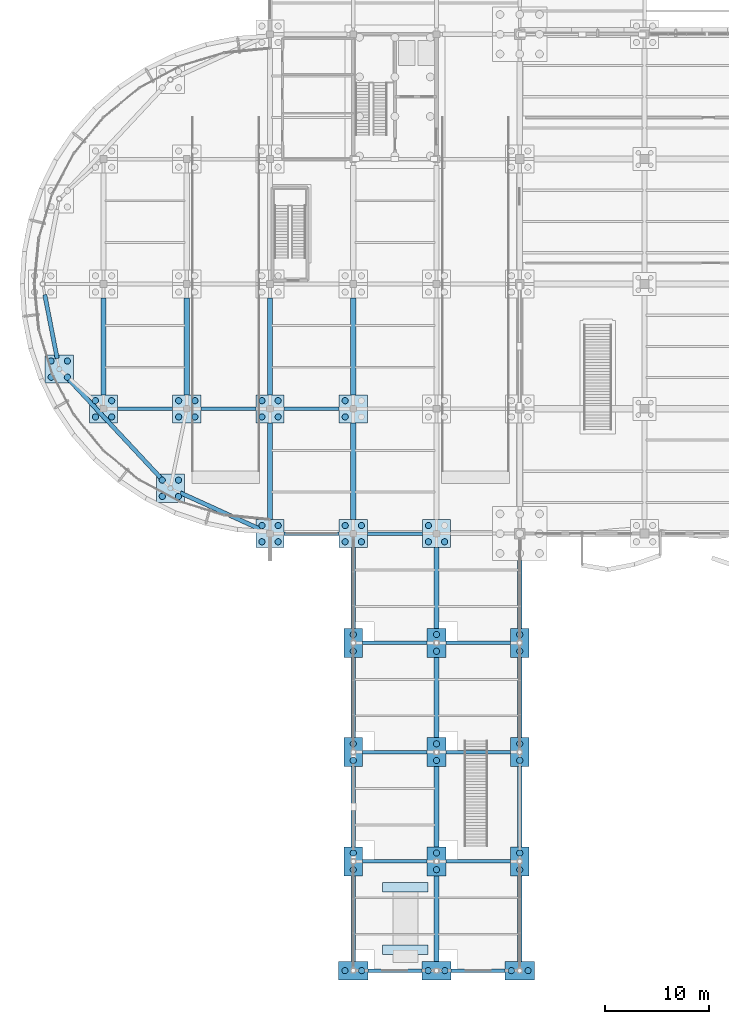
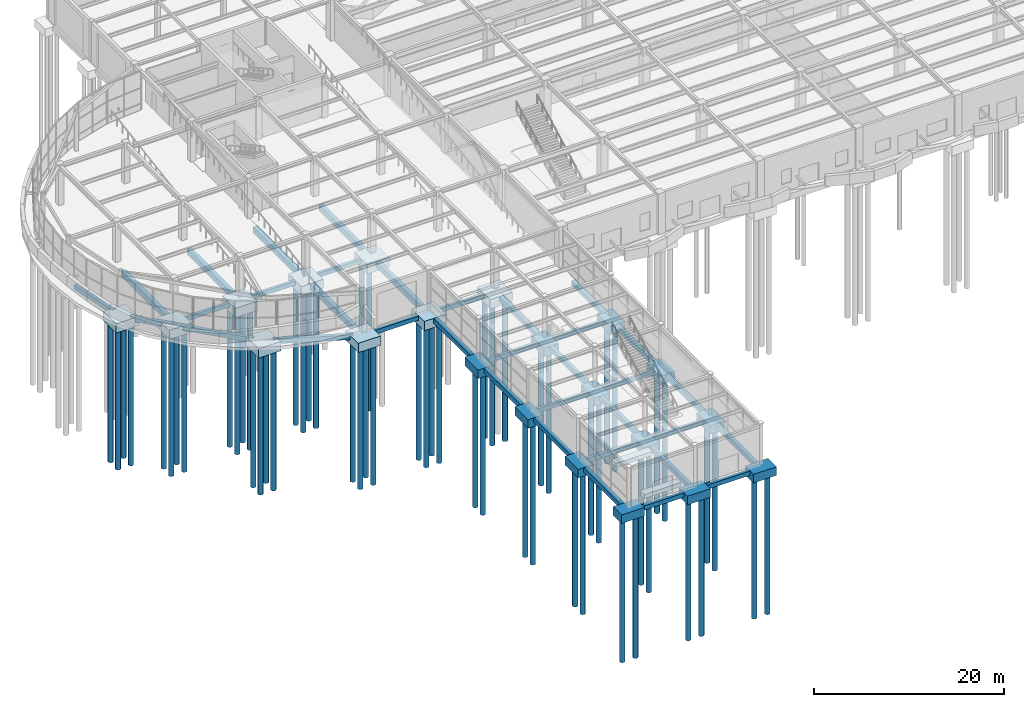
# One storey, part 1 of 85: 57 footings, 57 piles.
"""IFC4 building model written with IfcOpenShell, lengths in metres."""

from ifc_helpers import new_model, si_unit, direction, frame, origin, origin_2d, place, context, subcontext, project, spatial, polyline, rectangle, circle, outline, extrude, material, material_profile, profile_set, type_object, element, save


model = new_model("IFC4")

# Units and contexts
model_context = context("Model", 3, precision=1e-05, world=origin(), true_north=direction((0.0, 1.0)))
body_context = subcontext(model_context, "Body", "Model", "MODEL_VIEW")
ifc_project = project(units=[si_unit("LENGTHUNIT", "METRE"), si_unit("AREAUNIT", "SQUARE_METRE"), si_unit("VOLUMEUNIT", "CUBIC_METRE"), si_unit("PLANEANGLEUNIT", "RADIAN"), si_unit("MASSUNIT", "GRAM", prefix="KILO")], contexts=[model_context])

# Site, building, storey
site_placement = place(None, origin())
site = spatial("IfcSite", under=ifc_project, at=site_placement, CompositionType="ELEMENT")
building_placement = place(site_placement, origin())
building = spatial("IfcBuilding", under=site, at=building_placement, Name="Keelwater Ferry Terminal", CompositionType="ELEMENT")
storey_placement = place(building_placement, origin())
storey = spatial("IfcBuildingStorey", under=building, at=storey_placement, Name="L00", CompositionType="ELEMENT", Elevation=0.0)

# Piles
ifc_material_1 = material(Name="Concrete C45/55", Category="concrete")
ifc_material_profile_1 = material_profile(ifc_material_1, circle(Radius=0.300048828125, at=origin_2d()), Name="PILE D600")
ifc_profile_set_1 = profile_set([ifc_material_profile_1], Name="Concrete C45/55")
pile_type = type_object("IfcPileType", Name="P3 PILE D600", PredefinedType="DRIVEN", material=ifc_profile_set_1)
for number, where, z_axis, x_axis, name in (
    (1, (7.219970703125, 53.219970703125, -1.5), (0.0, 0.0, -1.0), (1.0, 0.0, 0.0), "Driven Pile 0046"),
    (2, (8.780029296875, 53.219970703125, -1.5), (0.0, 0.0, -1.0), (1.0, 0.0, 0.0), "Driven Pile 0047"),
    (3, (7.219970703125, 54.780029296875, -1.5), (0.0, 0.0, -1.0), (1.0, 0.0, 0.0), "Driven Pile 0048"),
    (4, (8.780029296875, 54.780029296875, -1.5), (0.0, 0.0, -1.0), (1.0, 0.0, 0.0), "Driven Pile 0049"),
    (5, (15.219970703125, 53.219970703125, -1.5), (0.0, 0.0, -1.0), (1.0, 0.0, 0.0), "Driven Pile 0058"),
    (6, (16.780029296875, 53.219970703125, -1.5), (0.0, 0.0, -1.0), (1.0, 0.0, 0.0), "Driven Pile 0059"),
    (7, (15.219970703125, 54.780029296875, -1.5), (0.0, 0.0, -1.0), (1.0, 0.0, 0.0), "Driven Pile 0060"),
    (8, (16.780029296875, 54.780029296875, -1.5), (0.0, 0.0, -1.0), (1.0, 0.0, 0.0), "Driven Pile 0061"),
    (9, (23.219970703125, 41.219970703125, -1.5), (0.0, 0.0, -1.0), (1.0, 0.0, 0.0), "Driven Pile 0070"),
    (10, (24.780029296875, 41.219970703125, -1.5), (0.0, 0.0, -1.0), (1.0, 0.0, 0.0), "Driven Pile 0071"),
    (11, (23.219970703125, 42.780029296875, -1.5), (0.0, 0.0, -1.0), (1.0, 0.0, 0.0), "Driven Pile 0072"),
    (12, (24.780029296875, 42.780029296875, -1.5), (0.0, 0.0, -1.0), (1.0, 0.0, 0.0), "Driven Pile 0073"),
    (13, (23.219970703125, 53.219970703125, -1.5), (0.0, 0.0, -1.0), (1.0, 0.0, 0.0), "Driven Pile 0074"),
    (14, (24.780029296875, 53.219970703125, -1.5), (0.0, 0.0, -1.0), (1.0, 0.0, 0.0), "Driven Pile 0075"),
    (15, (23.219970703125, 54.780029296875, -1.5), (0.0, 0.0, -1.0), (1.0, 0.0, 0.0), "Driven Pile 0076"),
    (16, (24.780029296875, 54.780029296875, -1.5), (0.0, 0.0, -1.0), (1.0, 0.0, 0.0), "Driven Pile 0077"),
):
    element("IfcPile", number, at=place(storey_placement, frame(where, z_axis=z_axis, x_axis=x_axis)), inside=storey, type_object=pile_type, Name=name, PredefinedType="DRIVEN", context=body_context, shape_type="SweptSolid", body=[
        extrude(circle(Radius=0.300048828125, at=origin_2d()), origin(), (0.0, 0.0, 1.0), 18.0),
    ])
for number, where, z_axis, x_axis, name in (
    (17, (31.199951171875, 0.0, -1.0), (0.0, 0.0, -1.0), (1.0, 0.0, 0.0), "Driven Pile 0098"),
    (18, (32.800048828125, 0.0, -1.0), (0.0, 0.0, -1.0), (1.0, 0.0, 0.0), "Driven Pile 0099"),
):
    element("IfcPile", number, at=place(storey_placement, frame(where, z_axis=z_axis, x_axis=x_axis)), inside=storey, type_object=pile_type, Name=name, PredefinedType="DRIVEN", context=body_context, shape_type="SweptSolid", body=[
        extrude(circle(Radius=0.300048828125, at=origin_2d()), origin(), (0.0, 0.0, 1.0), 18.5),
    ])
for number, where, z_axis, x_axis, name in (
    (19, (32.0, 9.699951171875, -1.39990234375), (0.0, 0.0, -1.0), (1.0, 0.0, 0.0), "Driven Pile 0100"),
    (20, (32.0, 11.300048828125, -1.39990234375), (0.0, 0.0, -1.0), (1.0, 0.0, 0.0), "Driven Pile 0101"),
    (21, (32.0, 20.199951171875, -1.39990234375), (0.0, 0.0, -1.0), (1.0, 0.0, 0.0), "Driven Pile 0102"),
    (22, (32.0, 21.800048828125, -1.39990234375), (0.0, 0.0, -1.0), (1.0, 0.0, 0.0), "Driven Pile 0103"),
    (23, (32.0, 30.699951171875, -1.39990234375), (0.0, 0.0, -1.0), (1.0, 0.0, 0.0), "Driven Pile 0104"),
    (24, (32.0, 32.300048828125, -1.39990234375), (0.0, 0.0, -1.0), (1.0, 0.0, 0.0), "Driven Pile 0105"),
):
    element("IfcPile", number, at=place(storey_placement, frame(where, z_axis=z_axis, x_axis=x_axis)), inside=storey, type_object=pile_type, Name=name, PredefinedType="DRIVEN", context=body_context, shape_type="SweptSolid", body=[
        extrude(circle(Radius=0.300048828125, at=origin_2d()), origin(), (0.0, 0.0, 1.0), 18.10009765625),
    ])
for number, where, z_axis, x_axis, name in (
    (25, (31.219970703125, 41.219970703125, -1.5), (0.0, 0.0, -1.0), (1.0, 0.0, 0.0), "Driven Pile 0106"),
    (26, (32.780029296875, 41.219970703125, -1.5), (0.0, 0.0, -1.0), (1.0, 0.0, 0.0), "Driven Pile 0107"),
    (27, (31.219970703125, 42.780029296875, -1.5), (0.0, 0.0, -1.0), (1.0, 0.0, 0.0), "Driven Pile 0108"),
    (28, (32.780029296875, 42.780029296875, -1.5), (0.0, 0.0, -1.0), (1.0, 0.0, 0.0), "Driven Pile 0109"),
    (29, (31.219970703125, 53.219970703125, -1.5), (0.0, 0.0, -1.0), (1.0, 0.0, 0.0), "Driven Pile 0110"),
    (30, (31.219970703125, 54.780029296875, -1.5), (0.0, 0.0, -1.0), (1.0, 0.0, 0.0), "Driven Pile 0112"),
):
    element("IfcPile", number, at=place(storey_placement, frame(where, z_axis=z_axis, x_axis=x_axis)), inside=storey, type_object=pile_type, Name=name, PredefinedType="DRIVEN", context=body_context, shape_type="SweptSolid", body=[
        extrude(circle(Radius=0.300048828125, at=origin_2d()), origin(), (0.0, 0.0, 1.0), 18.0),
    ])
for number, where, z_axis, x_axis, name in (
    (31, (39.199951171875, 0.0, -1.39990234375), (0.0, 0.0, -1.0), (1.0, 0.0, 0.0), "Driven Pile 0122"),
    (32, (40.800048828125, 0.0, -1.39990234375), (0.0, 0.0, -1.0), (1.0, 0.0, 0.0), "Driven Pile 0123"),
    (33, (40.0, 9.699951171875, -1.39990234375), (0.0, 0.0, -1.0), (1.0, 0.0, 0.0), "Driven Pile 0124"),
    (34, (40.0, 11.300048828125, -1.39990234375), (0.0, 0.0, -1.0), (1.0, 0.0, 0.0), "Driven Pile 0125"),
    (35, (40.0, 20.199951171875, -1.39990234375), (0.0, 0.0, -1.0), (1.0, 0.0, 0.0), "Driven Pile 0126"),
    (36, (40.0, 21.800048828125, -1.39990234375), (0.0, 0.0, -1.0), (1.0, 0.0, 0.0), "Driven Pile 0127"),
    (37, (40.0, 30.699951171875, -1.39990234375), (0.0, 0.0, -1.0), (1.0, 0.0, 0.0), "Driven Pile 0128"),
    (38, (40.0, 32.300048828125, -1.39990234375), (0.0, 0.0, -1.0), (1.0, 0.0, 0.0), "Driven Pile 0129"),
):
    element("IfcPile", number, at=place(storey_placement, frame(where, z_axis=z_axis, x_axis=x_axis)), inside=storey, type_object=pile_type, Name=name, PredefinedType="DRIVEN", context=body_context, shape_type="SweptSolid", body=[
        extrude(circle(Radius=0.300048828125, at=origin_2d()), origin(), (0.0, 0.0, 1.0), 18.10009765625),
    ])
for number, where, z_axis, x_axis, name in (
    (39, (39.219970703125, 41.219970703125, -1.5), (0.0, 0.0, -1.0), (1.0, 0.0, 0.0), "Driven Pile 0130"),
    (40, (40.780029296875, 41.219970703125, -1.5), (0.0, 0.0, -1.0), (1.0, 0.0, 0.0), "Driven Pile 0131"),
    (41, (39.219970703125, 42.780029296875, -1.5), (0.0, 0.0, -1.0), (1.0, 0.0, 0.0), "Driven Pile 0132"),
):
    element("IfcPile", number, at=place(storey_placement, frame(where, z_axis=z_axis, x_axis=x_axis)), inside=storey, type_object=pile_type, Name=name, PredefinedType="DRIVEN", context=body_context, shape_type="SweptSolid", body=[
        extrude(circle(Radius=0.300048828125, at=origin_2d()), origin(), (0.0, 0.0, 1.0), 18.0),
    ])
for number, where, z_axis, x_axis, name in (
    (42, (47.199951171875, 0.0, -1.39990234375), (0.0, 0.0, -1.0), (1.0, 0.0, 0.0), "Driven Pile 0146"),
    (43, (48.800048828125, 0.0, -1.39990234375), (0.0, 0.0, -1.0), (1.0, 0.0, 0.0), "Driven Pile 0147"),
    (44, (48.0, 9.699951171875, -1.39990234375), (0.0, 0.0, -1.0), (1.0, 0.0, 0.0), "Driven Pile 0148"),
    (45, (48.0, 11.300048828125, -1.39990234375), (0.0, 0.0, -1.0), (1.0, 0.0, 0.0), "Driven Pile 0149"),
    (46, (48.0, 20.199951171875, -1.39990234375), (0.0, 0.0, -1.0), (1.0, 0.0, 0.0), "Driven Pile 0150"),
    (47, (48.0, 21.800048828125, -1.39990234375), (0.0, 0.0, -1.0), (1.0, 0.0, 0.0), "Driven Pile 0151"),
    (48, (48.0, 30.699951171875, -1.39990234375), (0.0, 0.0, -1.0), (1.0, 0.0, 0.0), "Driven Pile 0152"),
    (49, (48.0, 32.300048828125, -1.39990234375), (0.0, 0.0, -1.0), (1.0, 0.0, 0.0), "Driven Pile 0153"),
):
    element("IfcPile", number, at=place(storey_placement, frame(where, z_axis=z_axis, x_axis=x_axis)), inside=storey, type_object=pile_type, Name=name, PredefinedType="DRIVEN", context=body_context, shape_type="SweptSolid", body=[
        extrude(circle(Radius=0.300048828125, at=origin_2d()), origin(), (0.0, 0.0, 1.0), 18.10009765625),
    ])
for number, where, z_axis, x_axis, name in (
    (50, (2.9609375, 57.034912109375, -1.5), (0.0, 0.0, -1.0), (1.0, 0.0, 0.0), "Driven Pile 0627"),
    (51, (4.52099609375, 57.034912109375, -1.5), (0.0, 0.0, -1.0), (1.0, 0.0, 0.0), "Driven Pile 0628"),
    (52, (2.9609375, 58.594970703125, -1.5), (0.0, 0.0, -1.0), (1.0, 0.0, 0.0), "Driven Pile 0629"),
    (53, (4.52099609375, 58.594970703125, -1.5), (0.0, 0.0, -1.0), (1.0, 0.0, 0.0), "Driven Pile 0630"),
    (54, (13.64208984375, 45.5810546875, -1.5), (0.0, 0.0, -1.0), (1.0, 0.0, 0.0), "Driven Pile 0631"),
    (55, (15.201904296875, 45.5810546875, -1.5), (0.0, 0.0, -1.0), (1.0, 0.0, 0.0), "Driven Pile 0632"),
    (56, (13.64208984375, 47.14111328125, -1.5), (0.0, 0.0, -1.0), (1.0, 0.0, 0.0), "Driven Pile 0633"),
    (57, (15.201904296875, 47.14111328125, -1.5), (0.0, 0.0, -1.0), (1.0, 0.0, 0.0), "Driven Pile 0634"),
):
    element("IfcPile", number, at=place(storey_placement, frame(where, z_axis=z_axis, x_axis=x_axis)), inside=storey, type_object=pile_type, Name=name, PredefinedType="DRIVEN", context=body_context, shape_type="SweptSolid", body=[
        extrude(circle(Radius=0.300048828125, at=origin_2d()), origin(), (0.0, 0.0, 1.0), 18.0),
    ])

# Footings
ifc_material_2 = material(Name="Concrete C40/50", Category="concrete")
footing_type_1 = type_object("IfcFootingType", Name="PC02 2800x1800x1100", PredefinedType="PILE_CAP", material=ifc_material_2)
footing_1_placement = place(storey_placement, frame((0.0, 0.0, -1.10009765625)))
element("IfcFooting", 58, at=footing_1_placement, inside=storey, type_object=footing_type_1, Name="Pile Cap FT-CAP-0014", PredefinedType="PILE_CAP", context=body_context, shape_type="SweptSolid", body=[
    extrude(outline(polyline([(30.60009765625, -0.89990234375), (33.39990234375, -0.89990234375), (33.39990234375, 0.89990234375), (30.60009765625, 0.89990234375), (30.60009765625, -0.89990234375)])), origin(), (0.0, 0.0, 1.0), 1.10009765625),
])
footing_2_placement = place(storey_placement, frame((0.0, 0.0, -1.5)))
element("IfcFooting", 59, at=footing_2_placement, inside=storey, type_object=footing_type_1, Name="Pile Cap FT-CAP-0023", PredefinedType="PILE_CAP", context=body_context, shape_type="SweptSolid", body=[
    extrude(outline(polyline([(38.60009765625, -0.89990234375), (41.39990234375, -0.89990234375), (41.39990234375, 0.89990234375), (38.60009765625, 0.89990234375), (38.60009765625, -0.89990234375)])), origin(), (0.0, 0.0, 1.0), 1.10009765625),
])
footing_3_placement = place(storey_placement, frame((0.0, 0.0, -1.5)))
element("IfcFooting", 60, at=footing_3_placement, inside=storey, type_object=footing_type_1, Name="Pile Cap FT-CAP-0032", PredefinedType="PILE_CAP", context=body_context, shape_type="SweptSolid", body=[
    extrude(outline(polyline([(46.60009765625, -0.89990234375), (49.39990234375, -0.89990234375), (49.39990234375, 0.89990234375), (46.60009765625, 0.89990234375), (46.60009765625, -0.89990234375)])), origin(), (0.0, 0.0, 1.0), 1.10009765625),
])
ifc_material_3 = material(Name="Concrete C40/50", Category="concrete")
footing_type_2 = type_object("IfcFootingType", Name="PC03 1800x2800x1100", PredefinedType="PILE_CAP", material=ifc_material_3)
footing_4_placement = place(storey_placement, frame((0.0, 0.0, -1.5)))
element("IfcFooting", 61, at=footing_4_placement, inside=storey, type_object=footing_type_2, Name="Pile Cap FT-CAP-0015", PredefinedType="PILE_CAP", context=body_context, shape_type="SweptSolid", body=[
    extrude(outline(polyline([(31.10009765625, 9.10009765625), (32.89990234375, 9.10009765625), (32.89990234375, 11.89990234375), (31.10009765625, 11.89990234375), (31.10009765625, 9.10009765625)])), origin(), (0.0, 0.0, 1.0), 1.10009765625),
])
footing_5_placement = place(storey_placement, frame((0.0, 0.0, -1.5)))
element("IfcFooting", 62, at=footing_5_placement, inside=storey, type_object=footing_type_2, Name="Pile Cap FT-CAP-0016", PredefinedType="PILE_CAP", context=body_context, shape_type="SweptSolid", body=[
    extrude(outline(polyline([(31.10009765625, 19.60009765625), (32.89990234375, 19.60009765625), (32.89990234375, 22.39990234375), (31.10009765625, 22.39990234375), (31.10009765625, 19.60009765625)])), origin(), (0.0, 0.0, 1.0), 1.10009765625),
])
footing_6_placement = place(storey_placement, frame((0.0, 0.0, -1.5)))
element("IfcFooting", 63, at=footing_6_placement, inside=storey, type_object=footing_type_2, Name="Pile Cap FT-CAP-0017", PredefinedType="PILE_CAP", context=body_context, shape_type="SweptSolid", body=[
    extrude(outline(polyline([(31.10009765625, 30.10009765625), (32.89990234375, 30.10009765625), (32.89990234375, 32.89990234375), (31.10009765625, 32.89990234375), (31.10009765625, 30.10009765625)])), origin(), (0.0, 0.0, 1.0), 1.10009765625),
])
footing_7_placement = place(storey_placement, frame((0.0, 0.0, -1.5)))
element("IfcFooting", 64, at=footing_7_placement, inside=storey, type_object=footing_type_2, Name="Pile Cap FT-CAP-0024", PredefinedType="PILE_CAP", context=body_context, shape_type="SweptSolid", body=[
    extrude(outline(polyline([(39.10009765625, 9.10009765625), (40.89990234375, 9.10009765625), (40.89990234375, 11.89990234375), (39.10009765625, 11.89990234375), (39.10009765625, 9.10009765625)])), origin(), (0.0, 0.0, 1.0), 1.10009765625),
])
footing_8_placement = place(storey_placement, frame((0.0, 0.0, -1.5)))
element("IfcFooting", 65, at=footing_8_placement, inside=storey, type_object=footing_type_2, Name="Pile Cap FT-CAP-0025", PredefinedType="PILE_CAP", context=body_context, shape_type="SweptSolid", body=[
    extrude(outline(polyline([(39.10009765625, 19.60009765625), (40.89990234375, 19.60009765625), (40.89990234375, 22.39990234375), (39.10009765625, 22.39990234375), (39.10009765625, 19.60009765625)])), origin(), (0.0, 0.0, 1.0), 1.10009765625),
])
footing_9_placement = place(storey_placement, frame((0.0, 0.0, -1.5)))
element("IfcFooting", 66, at=footing_9_placement, inside=storey, type_object=footing_type_2, Name="Pile Cap FT-CAP-0026", PredefinedType="PILE_CAP", context=body_context, shape_type="SweptSolid", body=[
    extrude(outline(polyline([(39.10009765625, 30.10009765625), (40.89990234375, 30.10009765625), (40.89990234375, 32.89990234375), (39.10009765625, 32.89990234375), (39.10009765625, 30.10009765625)])), origin(), (0.0, 0.0, 1.0), 1.10009765625),
])
footing_10_placement = place(storey_placement, frame((0.0, 0.0, -1.5)))
element("IfcFooting", 67, at=footing_10_placement, inside=storey, type_object=footing_type_2, Name="Pile Cap FT-CAP-0033", PredefinedType="PILE_CAP", context=body_context, shape_type="SweptSolid", body=[
    extrude(outline(polyline([(47.10009765625, 9.10009765625), (48.89990234375, 9.10009765625), (48.89990234375, 11.89990234375), (47.10009765625, 11.89990234375), (47.10009765625, 9.10009765625)])), origin(), (0.0, 0.0, 1.0), 1.10009765625),
])
footing_11_placement = place(storey_placement, frame((0.0, 0.0, -1.5)))
element("IfcFooting", 68, at=footing_11_placement, inside=storey, type_object=footing_type_2, Name="Pile Cap FT-CAP-0034", PredefinedType="PILE_CAP", context=body_context, shape_type="SweptSolid", body=[
    extrude(outline(polyline([(47.10009765625, 19.60009765625), (48.89990234375, 19.60009765625), (48.89990234375, 22.39990234375), (47.10009765625, 22.39990234375), (47.10009765625, 19.60009765625)])), origin(), (0.0, 0.0, 1.0), 1.10009765625),
])
footing_12_placement = place(storey_placement, frame((0.0, 0.0, -1.5)))
element("IfcFooting", 69, at=footing_12_placement, inside=storey, type_object=footing_type_2, Name="Pile Cap FT-CAP-0035", PredefinedType="PILE_CAP", context=body_context, shape_type="SweptSolid", body=[
    extrude(outline(polyline([(47.10009765625, 30.10009765625), (48.89990234375, 30.10009765625), (48.89990234375, 32.89990234375), (47.10009765625, 32.89990234375), (47.10009765625, 30.10009765625)])), origin(), (0.0, 0.0, 1.0), 1.10009765625),
])
ifc_material_4 = material(Name="Concrete C40/50", Category="concrete")
footing_type_3 = type_object("IfcFootingType", Name="PC04 2700x2700x1200", PredefinedType="PILE_CAP", material=ifc_material_4)
footing_13_placement = place(storey_placement, frame((0.0, 0.0, -1.60009765625)))
element("IfcFooting", 70, at=footing_13_placement, inside=storey, type_object=footing_type_3, Name="Pile Cap FT-CAP-0001", PredefinedType="PILE_CAP", context=body_context, shape_type="SweptSolid", body=[
    extrude(outline(polyline([(6.64990234375, 52.64990234375), (9.35009765625, 52.64990234375), (9.35009765625, 55.35009765625), (6.64990234375, 55.35009765625), (6.64990234375, 52.64990234375)])), origin(), (0.0, 0.0, 1.0), 1.2001953125),
])
footing_14_placement = place(storey_placement, frame((0.0, 0.0, -1.60009765625)))
element("IfcFooting", 71, at=footing_14_placement, inside=storey, type_object=footing_type_3, Name="Pile Cap FT-CAP-0004", PredefinedType="PILE_CAP", context=body_context, shape_type="SweptSolid", body=[
    extrude(outline(polyline([(14.64990234375, 52.64990234375), (17.35009765625, 52.64990234375), (17.35009765625, 55.35009765625), (14.64990234375, 55.35009765625), (14.64990234375, 52.64990234375)])), origin(), (0.0, 0.0, 1.0), 1.2001953125),
])
footing_15_placement = place(storey_placement, frame((0.0, 0.0, -1.60009765625)))
element("IfcFooting", 72, at=footing_15_placement, inside=storey, type_object=footing_type_3, Name="Pile Cap FT-CAP-0007", PredefinedType="PILE_CAP", context=body_context, shape_type="SweptSolid", body=[
    extrude(outline(polyline([(22.64990234375, 40.64990234375), (25.35009765625, 40.64990234375), (25.35009765625, 43.35009765625), (22.64990234375, 43.35009765625), (22.64990234375, 40.64990234375)])), origin(), (0.0, 0.0, 1.0), 1.2001953125),
])
footing_16_placement = place(storey_placement, frame((0.0, 0.0, -1.60009765625)))
element("IfcFooting", 73, at=footing_16_placement, inside=storey, type_object=footing_type_3, Name="Pile Cap FT-CAP-0008", PredefinedType="PILE_CAP", context=body_context, shape_type="SweptSolid", body=[
    extrude(outline(polyline([(22.64990234375, 52.64990234375), (25.35009765625, 52.64990234375), (25.35009765625, 55.35009765625), (22.64990234375, 55.35009765625), (22.64990234375, 52.64990234375)])), origin(), (0.0, 0.0, 1.0), 1.2001953125),
])
footing_17_placement = place(storey_placement, frame((0.0, 0.0, -1.60009765625)))
element("IfcFooting", 74, at=footing_17_placement, inside=storey, type_object=footing_type_3, Name="Pile Cap FT-CAP-0018", PredefinedType="PILE_CAP", context=body_context, shape_type="SweptSolid", body=[
    extrude(outline(polyline([(30.64990234375, 40.64990234375), (33.35009765625, 40.64990234375), (33.35009765625, 43.35009765625), (30.64990234375, 43.35009765625), (30.64990234375, 40.64990234375)])), origin(), (0.0, 0.0, 1.0), 1.2001953125),
])
footing_18_placement = place(storey_placement, frame((0.0, 0.0, -1.60009765625)))
element("IfcFooting", 75, at=footing_18_placement, inside=storey, type_object=footing_type_3, Name="Pile Cap FT-CAP-0019", PredefinedType="PILE_CAP", context=body_context, shape_type="SweptSolid", body=[
    extrude(outline(polyline([(30.64990234375, 52.64990234375), (33.35009765625, 52.64990234375), (33.35009765625, 55.35009765625), (30.64990234375, 55.35009765625), (30.64990234375, 52.64990234375)])), origin(), (0.0, 0.0, 1.0), 1.2001953125),
])
footing_19_placement = place(storey_placement, frame((0.0, 0.0, -1.60009765625)))
element("IfcFooting", 76, at=footing_19_placement, inside=storey, type_object=footing_type_3, Name="Pile Cap FT-CAP-0027", PredefinedType="PILE_CAP", context=body_context, shape_type="SweptSolid", body=[
    extrude(outline(polyline([(38.64990234375, 40.64990234375), (41.35009765625, 40.64990234375), (41.35009765625, 43.35009765625), (38.64990234375, 43.35009765625), (38.64990234375, 40.64990234375)])), origin(), (0.0, 0.0, 1.0), 1.2001953125),
])
footing_20_placement = place(storey_placement, frame((0.0, 0.0, -1.60009765625)))
element("IfcFooting", 77, at=footing_20_placement, inside=storey, type_object=footing_type_3, Name="Pile Cap FT-CAP-0159", PredefinedType="PILE_CAP", context=body_context, shape_type="SweptSolid", body=[
    extrude(outline(polyline([(2.39111328125, 56.465087890625), (5.091064453125, 56.465087890625), (5.091064453125, 59.1650390625), (2.39111328125, 59.1650390625), (2.39111328125, 56.465087890625)])), origin(), (0.0, 0.0, 1.0), 1.2001953125),
])
footing_21_placement = place(storey_placement, frame((0.0, 0.0, -1.60009765625)))
element("IfcFooting", 78, at=footing_21_placement, inside=storey, type_object=footing_type_3, Name="Pile Cap FT-CAP-0160", PredefinedType="PILE_CAP", context=body_context, shape_type="SweptSolid", body=[
    extrude(outline(polyline([(13.072021484375, 45.010986328125), (15.77197265625, 45.010986328125), (15.77197265625, 47.7109375), (13.072021484375, 47.7109375), (13.072021484375, 45.010986328125)])), origin(), (0.0, 0.0, 1.0), 1.2001953125),
])
ifc_material_5 = material(Name="Concrete C40/50", Category="concrete")
footing_type_4 = type_object("IfcFootingType", Name="PF01 4400x900x500", PredefinedType="PAD_FOOTING", material=ifc_material_5)
footing_22_placement = place(storey_placement, frame((0.0, 0.0, -0.85009765625)))
element("IfcFooting", 79, at=footing_22_placement, inside=storey, type_object=footing_type_4, Name="Ramp BR1 Threshold Pad Footing 1", PredefinedType="PAD_FOOTING", context=body_context, shape_type="SweptSolid", body=[
    extrude(outline(polyline([(34.800048828125, 1.550048828125), (39.199951171875, 1.550048828125), (39.199951171875, 2.449951171875), (34.800048828125, 2.449951171875), (34.800048828125, 1.550048828125)])), origin(), (0.0, 0.0, 1.0), 0.5),
])
footing_23_placement = place(storey_placement, frame((0.0, 0.0, -0.5)))
element("IfcFooting", 80, at=footing_23_placement, inside=storey, type_object=footing_type_4, Name="Ramp BR1 Threshold Pad Footing 2", PredefinedType="PAD_FOOTING", context=body_context, shape_type="SweptSolid", body=[
    extrude(outline(polyline([(34.800048828125, 7.550048828125), (39.199951171875, 7.550048828125), (39.199951171875, 8.449951171875), (34.800048828125, 8.449951171875), (34.800048828125, 7.550048828125)])), origin(), (0.0, 0.0, 1.0), 0.5),
])
ifc_material_6 = material(Name="Concrete C40/50", Category="concrete")
ifc_material_profile_2 = material_profile(ifc_material_6, rectangle(XDim=0.5, YDim=0.75, at=origin_2d()), Name="TB 500x750")
ifc_profile_set_2 = profile_set([ifc_material_profile_2], Name="Concrete C40/50")
footing_type_5 = type_object("IfcFootingType", Name="TB2 500x750", PredefinedType="FOOTING_BEAM", material=ifc_profile_set_2)
for number, where, z_axis, x_axis, name in (
    (81, (8.0, 55.35009765625, -0.77490234375), (0.0, 1.0, 0.0), (-1.0, 0.0, 0.0), "Ground Tie Beam 0146"),
    (82, (16.0, 55.35009765625, -0.77490234375), (0.0, 1.0, 0.0), (-1.0, 0.0, 0.0), "Ground Tie Beam 0148"),
    (83, (24.0, 43.35009765625, -0.77490234375), (0.0, 1.0, 0.0), (-1.0, 0.0, 0.0), "Ground Tie Beam 0150"),
    (84, (24.0, 55.35009765625, -0.77490234375), (0.0, 1.0, 0.0), (-1.0, 0.0, 0.0), "Ground Tie Beam 0151"),
    (85, (32.0, 43.35009765625, -0.77490234375), (0.0, 1.0, 0.0), (-1.0, 0.0, 0.0), "Ground Tie Beam 0160"),
    (86, (32.0, 55.35009765625, -0.77490234375), (0.0, 1.0, 0.0), (-1.0, 0.0, 0.0), "Ground Tie Beam 0161"),
):
    element("IfcFooting", number, at=place(storey_placement, frame(where, z_axis=z_axis, x_axis=x_axis)), inside=storey, type_object=footing_type_5, Name=name, PredefinedType="FOOTING_BEAM", context=body_context, shape_type="SweptSolid", body=[
        extrude(rectangle(XDim=0.5, YDim=0.75, at=origin_2d()), origin(), (0.0, 0.0, 1.0), 9.2998046875),
    ])
ifc_material_7 = material(Name="Concrete C40/50", Category="concrete")
ifc_material_profile_3 = material_profile(ifc_material_7, rectangle(XDim=0.449951171875, YDim=0.60009765625, at=origin_2d()), Name="TB 450x600")
ifc_profile_set_3 = profile_set([ifc_material_profile_3], Name="Concrete C40/50")
footing_type_6 = type_object("IfcFootingType", Name="TB4 450x600", PredefinedType="FOOTING_BEAM", material=ifc_profile_set_3)
footing_24_placement = place(storey_placement, frame((32.0, 0.89990234375, -0.699951171875), z_axis=(0.0, 1.0, 0.0), x_axis=(-1.0, 0.0, 0.0)))
element("IfcFooting", 87, at=footing_24_placement, inside=storey, type_object=footing_type_6, Name="Ground Tie Beam 0156", PredefinedType="FOOTING_BEAM", context=body_context, shape_type="SweptSolid", body=[
    extrude(rectangle(XDim=0.449951171875, YDim=0.60009765625, at=origin_2d()), origin(), (0.0, 0.0, 1.0), 8.2001953125),
])
for number, where, z_axis, x_axis, name in (
    (88, (32.0, 11.89990234375, -0.699951171875), (0.0, 1.0, 0.0), (-1.0, 0.0, 0.0), "Ground Tie Beam 0157"),
    (89, (32.0, 22.39990234375, -0.699951171875), (0.0, 1.0, 0.0), (-1.0, 0.0, 0.0), "Ground Tie Beam 0158"),
):
    element("IfcFooting", number, at=place(storey_placement, frame(where, z_axis=z_axis, x_axis=x_axis)), inside=storey, type_object=footing_type_6, Name=name, PredefinedType="FOOTING_BEAM", context=body_context, shape_type="SweptSolid", body=[
        extrude(rectangle(XDim=0.449951171875, YDim=0.60009765625, at=origin_2d()), origin(), (0.0, 0.0, 1.0), 7.7001953125),
    ])
footing_25_placement = place(storey_placement, frame((32.0, 32.89990234375, -0.699951171875), z_axis=(0.0, 1.0, 0.0), x_axis=(-1.0, 0.0, 0.0)))
element("IfcFooting", 90, at=footing_25_placement, inside=storey, type_object=footing_type_6, Name="Ground Tie Beam 0159", PredefinedType="FOOTING_BEAM", context=body_context, shape_type="SweptSolid", body=[
    extrude(rectangle(XDim=0.449951171875, YDim=0.60009765625, at=origin_2d()), origin(), (0.0, 0.0, 1.0), 7.75),
])
footing_26_placement = place(storey_placement, frame((40.0, 0.89990234375, -0.699951171875), z_axis=(0.0, 1.0, 0.0), x_axis=(-1.0, 0.0, 0.0)))
element("IfcFooting", 91, at=footing_26_placement, inside=storey, type_object=footing_type_6, Name="Ground Tie Beam 0165", PredefinedType="FOOTING_BEAM", context=body_context, shape_type="SweptSolid", body=[
    extrude(rectangle(XDim=0.449951171875, YDim=0.60009765625, at=origin_2d()), origin(), (0.0, 0.0, 1.0), 8.2001953125),
])
for number, where, z_axis, x_axis, name in (
    (92, (40.0, 11.89990234375, -0.699951171875), (0.0, 1.0, 0.0), (-1.0, 0.0, 0.0), "Ground Tie Beam 0166"),
    (93, (40.0, 22.39990234375, -0.699951171875), (0.0, 1.0, 0.0), (-1.0, 0.0, 0.0), "Ground Tie Beam 0167"),
):
    element("IfcFooting", number, at=place(storey_placement, frame(where, z_axis=z_axis, x_axis=x_axis)), inside=storey, type_object=footing_type_6, Name=name, PredefinedType="FOOTING_BEAM", context=body_context, shape_type="SweptSolid", body=[
        extrude(rectangle(XDim=0.449951171875, YDim=0.60009765625, at=origin_2d()), origin(), (0.0, 0.0, 1.0), 7.7001953125),
    ])
footing_27_placement = place(storey_placement, frame((40.0, 32.89990234375, -0.699951171875), z_axis=(0.0, 1.0, 0.0), x_axis=(-1.0, 0.0, 0.0)))
element("IfcFooting", 94, at=footing_27_placement, inside=storey, type_object=footing_type_6, Name="Ground Tie Beam 0168", PredefinedType="FOOTING_BEAM", context=body_context, shape_type="SweptSolid", body=[
    extrude(rectangle(XDim=0.449951171875, YDim=0.60009765625, at=origin_2d()), origin(), (0.0, 0.0, 1.0), 7.75),
])
footing_28_placement = place(storey_placement, frame((48.0, 0.89990234375, -0.699951171875), z_axis=(0.0, 1.0, 0.0), x_axis=(-1.0, 0.0, 0.0)))
element("IfcFooting", 95, at=footing_28_placement, inside=storey, type_object=footing_type_6, Name="Ground Tie Beam 0174", PredefinedType="FOOTING_BEAM", context=body_context, shape_type="SweptSolid", body=[
    extrude(rectangle(XDim=0.449951171875, YDim=0.60009765625, at=origin_2d()), origin(), (0.0, 0.0, 1.0), 8.2001953125),
])
for number, where, z_axis, x_axis, name in (
    (96, (48.0, 11.89990234375, -0.699951171875), (0.0, 1.0, 0.0), (-1.0, 0.0, 0.0), "Ground Tie Beam 0175"),
    (97, (48.0, 22.39990234375, -0.699951171875), (0.0, 1.0, 0.0), (-1.0, 0.0, 0.0), "Ground Tie Beam 0176"),
):
    element("IfcFooting", number, at=place(storey_placement, frame(where, z_axis=z_axis, x_axis=x_axis)), inside=storey, type_object=footing_type_6, Name=name, PredefinedType="FOOTING_BEAM", context=body_context, shape_type="SweptSolid", body=[
        extrude(rectangle(XDim=0.449951171875, YDim=0.60009765625, at=origin_2d()), origin(), (0.0, 0.0, 1.0), 7.7001953125),
    ])
footing_29_placement = place(storey_placement, frame((48.0, 32.89990234375, -0.699951171875), z_axis=(0.0, 1.0, 0.0), x_axis=(-1.0, 0.0, 0.0)))
element("IfcFooting", 98, at=footing_29_placement, inside=storey, type_object=footing_type_6, Name="Ground Tie Beam 0177", PredefinedType="FOOTING_BEAM", context=body_context, shape_type="SweptSolid", body=[
    extrude(rectangle(XDim=0.449951171875, YDim=0.60009765625, at=origin_2d()), origin(), (0.0, 0.0, 1.0), 6.5),
])
ifc_material_8 = material(Name="Concrete C40/50", Category="concrete")
ifc_material_profile_4 = material_profile(ifc_material_8, rectangle(XDim=0.39990234375, YDim=0.60009765625, at=origin_2d()), Name="TB 400x600")
ifc_profile_set_4 = profile_set([ifc_material_profile_4], Name="Concrete C40/50")
footing_type_7 = type_object("IfcFootingType", Name="TB5 400x600", PredefinedType="FOOTING_BEAM", material=ifc_profile_set_4)
footing_30_placement = place(storey_placement, frame((2.35009765625, 64.968994140625, -0.699951171875), z_axis=(0.190919942983, -0.981605610911, 0.0), x_axis=(0.981605610911, 0.190919942983, 0.0)))
element("IfcFooting", 99, at=footing_30_placement, inside=storey, type_object=footing_type_7, Name="Ground Tie Beam 0293", PredefinedType="FOOTING_BEAM", context=body_context, shape_type="SweptSolid", body=[
    extrude(rectangle(XDim=0.39990234375, YDim=0.60009765625, at=origin_2d()), origin(), (0.0, 0.0, 1.0), 6.23779296875),
])
footing_31_placement = place(storey_placement, frame((4.45703125, 57.047119140625, -0.699951171875), z_axis=(0.682003893174, -0.73134854187, 0.0), x_axis=(0.73134854187, 0.682003893174, 0.0)))
element("IfcFooting", 100, at=footing_31_placement, inside=storey, type_object=footing_type_7, Name="Ground Tie Beam 0294", PredefinedType="FOOTING_BEAM", context=body_context, shape_type="SweptSolid", body=[
    extrude(rectangle(XDim=0.39990234375, YDim=0.60009765625, at=origin_2d()), origin(), (0.0, 0.0, 1.0), 13.5615234375),
])
footing_32_placement = place(storey_placement, frame((15.3779296875, 45.926025390625, -0.699951171875), z_axis=(0.910079402267, -0.414433929077, 0.0), x_axis=(0.414433929077, 0.910079402267, 0.0)))
element("IfcFooting", 101, at=footing_32_placement, inside=storey, type_object=footing_type_7, Name="Ground Tie Beam 0295", PredefinedType="FOOTING_BEAM", context=body_context, shape_type="SweptSolid", body=[
    extrude(rectangle(XDim=0.39990234375, YDim=0.60009765625, at=origin_2d()), origin(), (0.0, 0.0, 1.0), 8.42333984375),
])
ifc_material_9 = material(Name="Concrete C40/50", Category="concrete")
ifc_material_profile_5 = material_profile(ifc_material_9, rectangle(XDim=0.35009765625, YDim=0.550048828125, at=origin_2d()), Name="TB 350x550")
ifc_profile_set_5 = profile_set([ifc_material_profile_5], Name="Concrete C40/50")
footing_type_8 = type_object("IfcFootingType", Name="TB7 350x550", PredefinedType="FOOTING_BEAM", material=ifc_profile_set_5)
for number, where, z_axis, x_axis, name in (
    (102, (33.39990234375, 0.0, -0.675048828125), (1.0, 0.0, 0.0), (0.0, 1.0, 0.0), "Ground Tie Beam 0001"),
    (103, (41.39990234375, 0.0, -0.675048828125), (1.0, 0.0, 0.0), (0.0, 1.0, 0.0), "Ground Tie Beam 0002"),
):
    element("IfcFooting", number, at=place(storey_placement, frame(where, z_axis=z_axis, x_axis=x_axis)), inside=storey, type_object=footing_type_8, Name=name, PredefinedType="FOOTING_BEAM", context=body_context, shape_type="SweptSolid", body=[
        extrude(rectangle(XDim=0.35009765625, YDim=0.550048828125, at=origin_2d()), origin(), (0.0, 0.0, 1.0), 5.2001953125),
    ])
for number, where, z_axis, x_axis, name in (
    (104, (32.89990234375, 10.5, -0.675048828125), (1.0, 0.0, 0.0), (0.0, 1.0, 0.0), "Ground Tie Beam 0005"),
    (105, (40.89990234375, 10.5, -0.675048828125), (1.0, 0.0, 0.0), (0.0, 1.0, 0.0), "Ground Tie Beam 0006"),
    (106, (32.89990234375, 21.0, -0.675048828125), (1.0, 0.0, 0.0), (0.0, 1.0, 0.0), "Ground Tie Beam 0009"),
    (107, (40.89990234375, 21.0, -0.675048828125), (1.0, 0.0, 0.0), (0.0, 1.0, 0.0), "Ground Tie Beam 0010"),
    (108, (32.89990234375, 31.5, -0.675048828125), (1.0, 0.0, 0.0), (0.0, 1.0, 0.0), "Ground Tie Beam 0013"),
    (109, (40.89990234375, 31.5, -0.675048828125), (1.0, 0.0, 0.0), (0.0, 1.0, 0.0), "Ground Tie Beam 0014"),
):
    element("IfcFooting", number, at=place(storey_placement, frame(where, z_axis=z_axis, x_axis=x_axis)), inside=storey, type_object=footing_type_8, Name=name, PredefinedType="FOOTING_BEAM", context=body_context, shape_type="SweptSolid", body=[
        extrude(rectangle(XDim=0.35009765625, YDim=0.550048828125, at=origin_2d()), origin(), (0.0, 0.0, 1.0), 6.2001953125),
    ])
for number, where, z_axis, x_axis, name in (
    (110, (25.35009765625, 42.0, -0.675048828125), (1.0, 0.0, 0.0), (0.0, 1.0, 0.0), "Ground Tie Beam 0017"),
    (111, (33.35009765625, 42.0, -0.675048828125), (1.0, 0.0, 0.0), (0.0, 1.0, 0.0), "Ground Tie Beam 0018"),
    (112, (9.35009765625, 54.0, -0.675048828125), (1.0, 0.0, 0.0), (0.0, 1.0, 0.0), "Ground Tie Beam 0030"),
    (113, (17.35009765625, 54.0, -0.675048828125), (1.0, 0.0, 0.0), (0.0, 1.0, 0.0), "Ground Tie Beam 0031"),
    (114, (25.35009765625, 54.0, -0.675048828125), (1.0, 0.0, 0.0), (0.0, 1.0, 0.0), "Ground Tie Beam 0032"),
):
    element("IfcFooting", number, at=place(storey_placement, frame(where, z_axis=z_axis, x_axis=x_axis)), inside=storey, type_object=footing_type_8, Name=name, PredefinedType="FOOTING_BEAM", context=body_context, shape_type="SweptSolid", body=[
        extrude(rectangle(XDim=0.35009765625, YDim=0.550048828125, at=origin_2d()), origin(), (0.0, 0.0, 1.0), 5.2998046875),
    ])

save(model, "model.ifc")
